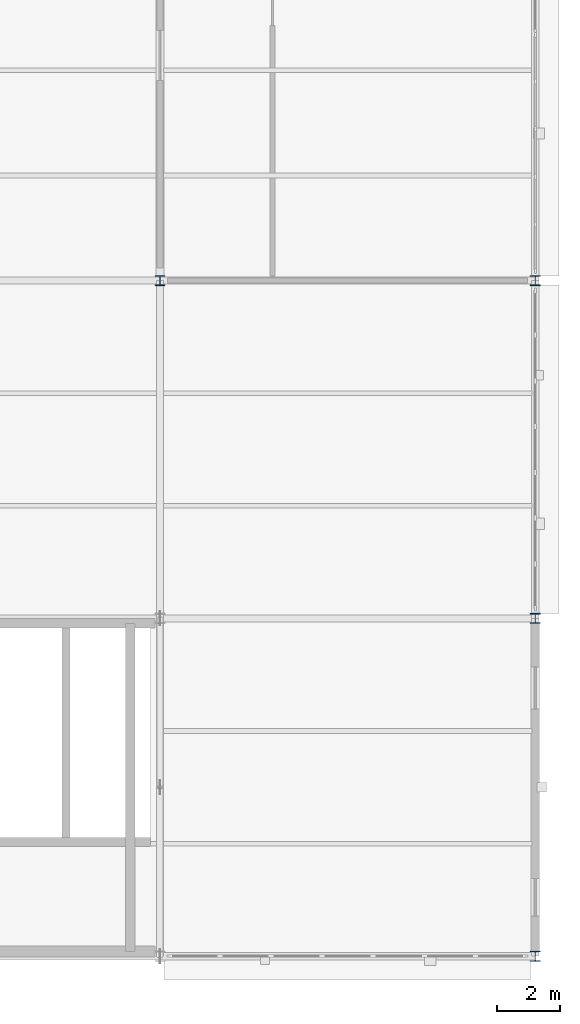
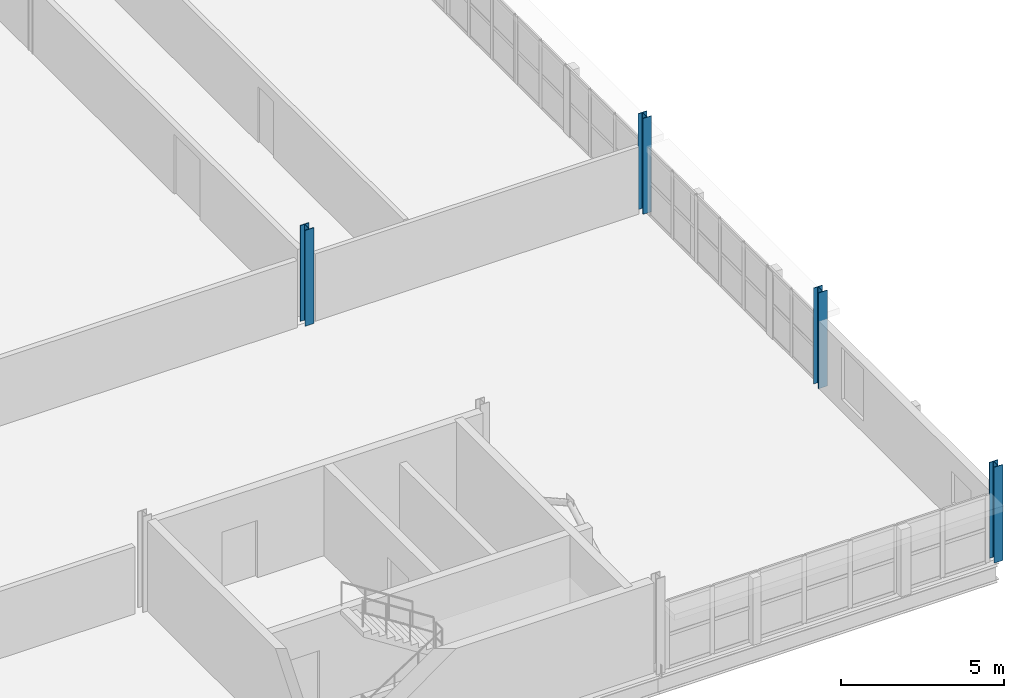
# One storey, part 15 of 79: 4 columns.
"""IFC4 building model written with IfcOpenShell, lengths in metres."""

from ifc_helpers import new_model, si_unit, direction, frame, origin, origin_2d, place, context, subcontext, project, spatial, i_section, extrude, material, material_profile, profile_set, type_object, element, save


model = new_model("IFC4")

# Units and contexts
model_context = context("Model", 3, precision=1e-05, world=origin(), true_north=direction((0.0, 1.0)))
body_context = subcontext(model_context, "Body", "Model", "MODEL_VIEW")
ifc_project = project(units=[si_unit("LENGTHUNIT", "METRE"), si_unit("AREAUNIT", "SQUARE_METRE"), si_unit("VOLUMEUNIT", "CUBIC_METRE"), si_unit("PLANEANGLEUNIT", "RADIAN"), si_unit("MASSUNIT", "GRAM", prefix="KILO"), si_unit("THERMODYNAMICTEMPERATUREUNIT", "KELVIN"), si_unit("POWERUNIT", "WATT")], contexts=[model_context])

# Site, building, storey
site_placement = place(None, origin())
site = spatial("IfcSite", under=ifc_project, at=site_placement, CompositionType="ELEMENT")
building_placement = place(site_placement, origin())
building = spatial("IfcBuilding", under=site, at=building_placement, Name="Tembeka Court Mobility Hub", CompositionType="ELEMENT")
storey_placement = place(building_placement, frame((0.0, 0.0, 9.0)))
storey = spatial("IfcBuildingStorey", under=building, at=storey_placement, Name="L02", CompositionType="ELEMENT", Elevation=9.0)

# Columns
ifc_material = material(Name="Steel S355", Category="steel")
ifc_material_profile = material_profile(ifc_material, i_section(OverallWidth=0.30908203125, OverallDepth=0.321044921875, WebThickness=0.013916015625, FlangeThickness=0.021728515625, FilletRadius=0.01513671875, at=origin_2d()), Name="UKC 305x305x137")
ifc_profile_set = profile_set([ifc_material_profile], Name="Steel S355")
column_type = type_object("IfcColumnType", Name="COL-C04", PredefinedType="COLUMN", material=ifc_profile_set)
for number, where, z_axis, x_axis, name in (
    (1, (164.39990234375, 21.60009765625, 0.0), (0.0, 0.0, 1.0), (1.0, 0.0, 0.0), "Column C04 (L02-222)"),
    (2, (176.39990234375, 0.0, 0.0), (0.0, 0.0, 1.0), (1.0, 0.0, 0.0), "Column C04 (L02-239)"),
    (3, (176.39990234375, 10.800048828125, 0.0), (0.0, 0.0, 1.0), (1.0, 0.0, 0.0), "Column C04 (L02-240)"),
    (4, (176.39990234375, 21.60009765625, 0.0), (0.0, 0.0, 1.0), (1.0, 0.0, 0.0), "Column C04 (L02-241)"),
):
    element("IfcColumn", number, at=place(storey_placement, frame(where, z_axis=z_axis, x_axis=x_axis)), inside=storey, type_object=column_type, Name=name, PredefinedType="COLUMN", context=body_context, shape_type="SweptSolid", body=[
        extrude(i_section(OverallWidth=0.30908203125, OverallDepth=0.321044921875, WebThickness=0.013916015625, FlangeThickness=0.021728515625, FilletRadius=0.01513671875, at=origin_2d()), origin(), (0.0, 0.0, 1.0), 3.60009765625),
    ])

save(model, "model.ifc")
